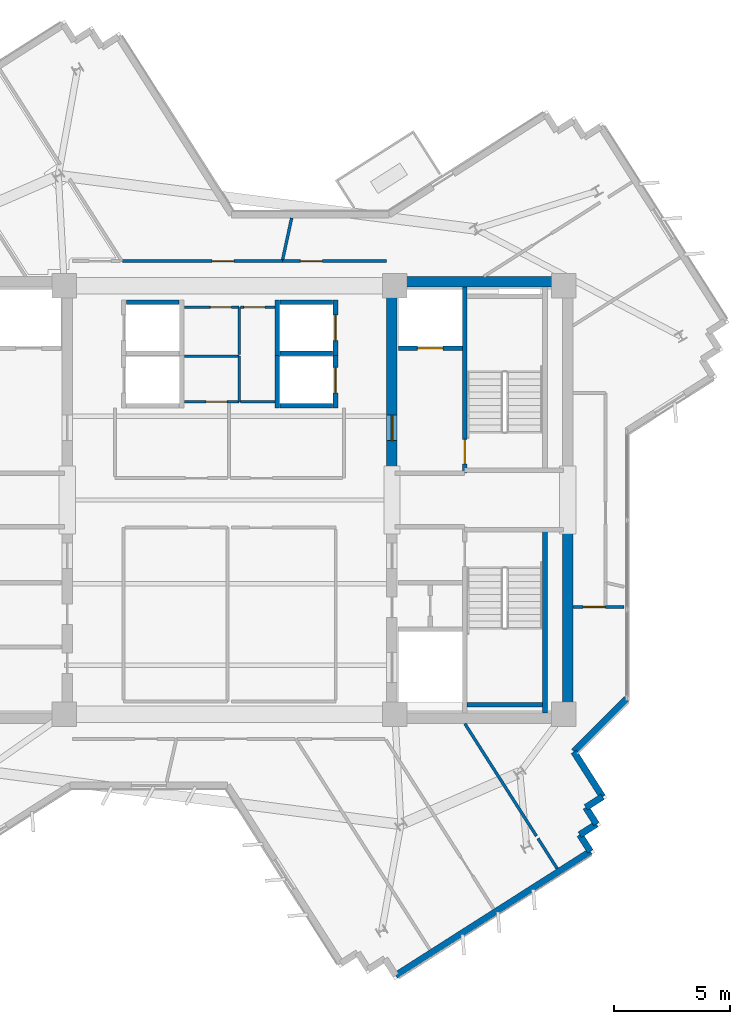
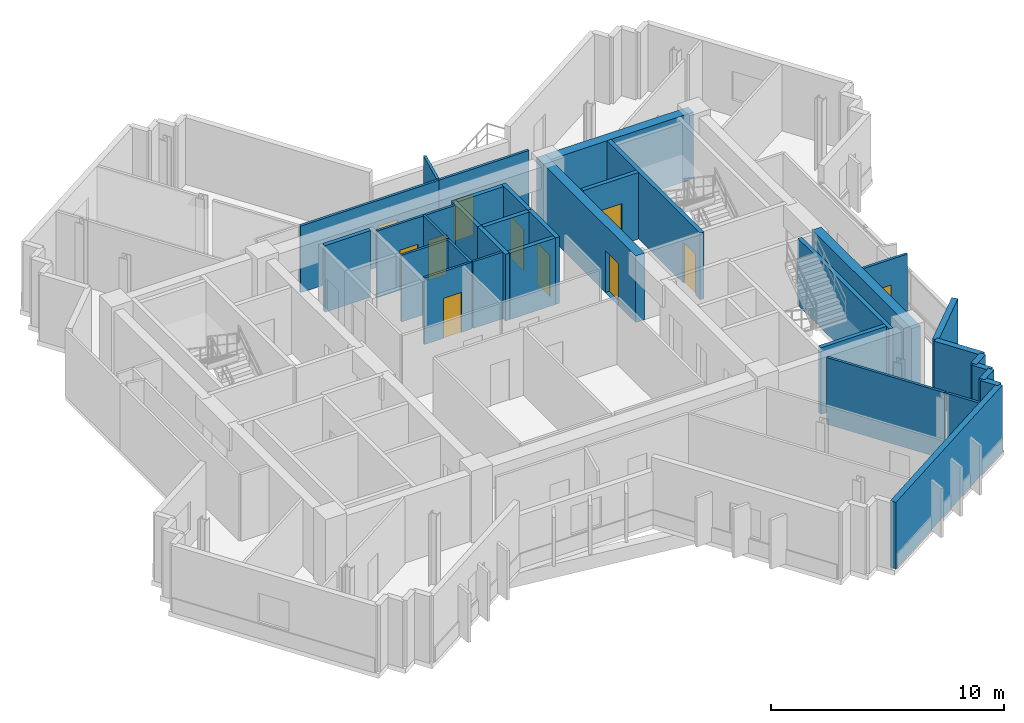
# One storey, part 7 of 12: 35 walls, 11 doors, 11 openings.
"""IFC4 building model written with IfcOpenShell, lengths in metres."""

from ifc_helpers import new_model, si_unit, direction, frame, frame_2d, origin, place, context, subcontext, project, spatial, rectangle, extrude, source, transform, mapped, material, layer, layer_set, type_object, element, fill, save


model = new_model("IFC4")

# Units and contexts
model_context = context("Model", 3, precision=1e-05, world=origin(), true_north=direction((0.0, 1.0)))
body_context = subcontext(model_context, "Body", "Model", "MODEL_VIEW")
ifc_project = project(units=[si_unit("LENGTHUNIT", "METRE"), si_unit("AREAUNIT", "SQUARE_METRE"), si_unit("VOLUMEUNIT", "CUBIC_METRE"), si_unit("PLANEANGLEUNIT", "RADIAN"), si_unit("MASSUNIT", "GRAM", prefix="KILO")], contexts=[model_context])

# Site, building, storey
site_placement = place(None, origin())
site = spatial("IfcSite", under=ifc_project, at=site_placement, CompositionType="ELEMENT")
building_placement = place(site_placement, origin())
building = spatial("IfcBuilding", under=site, at=building_placement, Name="Zahravan Cultural Tower", CompositionType="ELEMENT")
storey_placement = place(building_placement, frame((0.0, 0.0, 261.60009765625)))
storey = spatial("IfcBuildingStorey", under=building, at=storey_placement, Name="L62", CompositionType="ELEMENT", Elevation=261.60009765625)

# Wall, opening, door
ifc_material_1 = material(Name="Concrete C50/60", Category="concrete")
ifc_layer_1 = layer(ifc_material_1, 0.449951171875)
ifc_layer_set_1 = layer_set([ifc_layer_1], Name="Concrete C50/60")
wall_type_1 = type_object("IfcWallType", Name="CW-SHEAR-450-C50", PredefinedType="SHEAR", material=ifc_layer_set_1)
wall_1_placement = place(storey_placement, frame((42.97509765625, 28.050048828125, 0.0), z_axis=(0.0, 0.0, 1.0), x_axis=(0.0, 1.0, 0.0)))
wall_1 = element("IfcWall", 1, at=wall_1_placement, inside=storey, type_object=wall_type_1, Name="L62 Core Shear Wall CW-E-WN-L62", PredefinedType="SHEAR", context=body_context, shape_type="SweptSolid", body=[
    extrude(rectangle(XDim=8.550048828125, YDim=0.449951171875, at=frame_2d((4.27490234375, 0.0))), origin(), (0.0, 0.0, 1.0), 3.5),
])
opening_1_placement = place(wall_1_placement, frame((1.5, 0.0, 0.0)))
opening_1 = element("IfcOpeningElement", 2, at=opening_1_placement, cuts=wall_1, Name="Opening D-L62-07", PredefinedType="OPENING", context=body_context, shape_type="SweptSolid", body=[
    extrude(rectangle(XDim=1.10009765625, YDim=2.199951171875, at=frame_2d((0.550048828125, 1.10009765625))), frame((0.0, 0.23486328125, 0.0), z_axis=(0.0, -1.0, 0.0), x_axis=(1.0, 0.0, 0.0)), (0.0, 0.0, 1.0), 0.469970703125),
])
ifc_material_2 = material(Name="Steel ASTM A572 Grade 50", Category="steel")
door_type_1 = type_object("IfcDoorType", Name="DR-LOBBY-1100", OperationType="NOTDEFINED", PredefinedType="DOOR", material=ifc_material_2)
shared_shape_1 = source(origin(), body_context, "Body", "SweptSolid", [
    extrude(rectangle(XDim=1.10009765625, YDim=2.199951171875, at=frame_2d((0.550048828125, 1.10009765625))), frame((0.0, 0.02490234375, 0.0), z_axis=(0.0, -1.0, 0.0), x_axis=(1.0, 0.0, 0.0)), (0.0, 0.0, 1.0), 0.050048828125),
])
door_1_placement = place(opening_1_placement, origin())
door_1 = element("IfcDoor", 3, at=door_1_placement, inside=storey, type_object=door_type_1, Name="L62 Door D-L62-07", OperationType="SINGLE_SWING_LEFT", OverallHeight=2.199951171875, OverallWidth=1.10009765625, PredefinedType="DOOR", context=body_context, shape_type="MappedRepresentation", body=[
    mapped(shared_shape_1, transform((0.0, 0.0, 0.0), x_axis=(1.0, 0.0, 0.0), y_axis=(0.0, 1.0, 0.0), z_axis=(0.0, 0.0, 1.0), scale=1.0)),
])
fill(opening_1, door_1)

ifc_material_3 = material(Name="Gypsum plasterboard partition")
ifc_layer_2 = layer(ifc_material_3, 0.125)
ifc_layer_set_2 = layer_set([ifc_layer_2], Name="Gypsum plasterboard partition")
wall_type_2 = type_object("IfcWallType", Name="W-PART-125", PredefinedType="PARTITIONING", material=ifc_layer_set_2)
wall_2_placement = place(storey_placement, frame((50.7548828125, 22.400146484375, 0.0), z_axis=(0.0, 0.0, 1.0), x_axis=(0.999998787702, 0.001557110781, 0.0)))
wall_2 = element("IfcWall", 4, at=wall_2_placement, inside=storey, type_object=wall_type_2, Name="L62 Interior Wall 066", PredefinedType="PARTITIONING", context=body_context, shape_type="SweptSolid", body=[
    extrude(rectangle(XDim=2.195068359375, YDim=0.125, at=frame_2d((1.09765625, 0.0))), origin(), (0.0, 0.0, 1.0), 3.5),
])
opening_2_placement = place(wall_2_placement, frame((0.435791015625, 0.0, 0.0)))
opening_2 = element("IfcOpeningElement", 5, at=opening_2_placement, cuts=wall_2, Name="Opening D-L62-29", PredefinedType="OPENING", context=body_context, shape_type="SweptSolid", body=[
    extrude(rectangle(XDim=0.949951171875, YDim=2.14990234375, at=frame_2d((0.47509765625, 1.074951171875))), frame((0.0, 0.072509765625, 0.0), z_axis=(0.0, -1.0, 0.0), x_axis=(1.0, 0.0, 0.0)), (0.0, 0.0, 1.0), 0.14501953125),
])
ifc_material_4 = material(Name="Anodised bronze-aluminium mullion", Category="aluminium")
door_type_2 = type_object("IfcDoorType", Name="DR-ROOM-950", OperationType="NOTDEFINED", PredefinedType="DOOR", material=ifc_material_4)
shared_shape_2 = source(origin(), body_context, "Body", "SweptSolid", [
    extrude(rectangle(XDim=0.949951171875, YDim=2.14990234375, at=frame_2d((0.47509765625, 1.074951171875))), frame((0.0, 0.02490234375, 0.0), z_axis=(0.0, -1.0, 0.0), x_axis=(1.0, 0.0, 0.0)), (0.0, 0.0, 1.0), 0.050048828125),
])
door_2_placement = place(opening_2_placement, origin())
door_2 = element("IfcDoor", 6, at=door_2_placement, inside=storey, type_object=door_type_2, Name="L62 Door D-L62-29", OperationType="SINGLE_SWING_LEFT", OverallHeight=2.14990234375, OverallWidth=0.949951171875, PredefinedType="DOOR", context=body_context, shape_type="MappedRepresentation", body=[
    mapped(shared_shape_2, transform((0.0, 0.0, 0.0), x_axis=(1.0, 0.0, 0.0), y_axis=(0.0, 1.0, 0.0), z_axis=(0.0, 0.0, 1.0), scale=1.0)),
])
fill(opening_2, door_2)

wall_3_placement = place(storey_placement, frame((42.742431640625, 37.259765625, 0.0), z_axis=(0.0, 0.0, 1.0), x_axis=(-0.999999998515, 5.4504824e-05, 0.0)))
wall_3 = element("IfcWall", 7, at=wall_3_placement, inside=storey, type_object=wall_type_2, Name="L62 Interior Wall 092", PredefinedType="PARTITIONING", context=body_context, shape_type="SweptSolid", body=[
    extrude(rectangle(XDim=4.479248046875, YDim=0.125, at=frame_2d((2.23974609375, 0.0))), origin(), (0.0, 0.0, 1.0), 3.5),
])
opening_3_placement = place(wall_3_placement, frame((2.752685546875, 0.0, 0.0)))
opening_3 = element("IfcOpeningElement", 8, at=opening_3_placement, cuts=wall_3, Name="Opening D-L62-21", PredefinedType="OPENING", context=body_context, shape_type="SweptSolid", body=[
    extrude(rectangle(XDim=0.949951171875, YDim=2.14990234375, at=frame_2d((0.47509765625, 1.074951171875))), frame((0.0, 0.072509765625, 0.0), z_axis=(0.0, -1.0, 0.0), x_axis=(1.0, 0.0, 0.0)), (0.0, 0.0, 1.0), 0.14501953125),
])
door_3_placement = place(opening_3_placement, origin())
door_3 = element("IfcDoor", 9, at=door_3_placement, inside=storey, type_object=door_type_2, Name="L62 Door D-L62-21", OperationType="SINGLE_SWING_LEFT", OverallHeight=2.14990234375, OverallWidth=0.949951171875, PredefinedType="DOOR", context=body_context, shape_type="MappedRepresentation", body=[
    mapped(shared_shape_2, transform((0.0, 0.0, 0.0), x_axis=(1.0, 0.0, 0.0), y_axis=(0.0, 1.0, 0.0), z_axis=(0.0, 0.0, 1.0), scale=1.0)),
])
fill(opening_3, door_3)

wall_4_placement = place(storey_placement, frame((38.26318359375, 37.260009765625, 0.0), z_axis=(0.0, 0.0, 1.0), x_axis=(-1.0, 0.0, 0.0)))
wall_4 = element("IfcWall", 10, at=wall_4_placement, inside=storey, type_object=wall_type_2, Name="L62 Interior Wall 095", PredefinedType="PARTITIONING", context=body_context, shape_type="SweptSolid", body=[
    extrude(rectangle(XDim=6.866943359375, YDim=0.125, at=frame_2d((3.43359375, 0.0))), origin(), (0.0, 0.0, 1.0), 3.5),
])
opening_4_placement = place(wall_4_placement, frame((2.071044921875, 0.0, 0.0)))
opening_4 = element("IfcOpeningElement", 11, at=opening_4_placement, cuts=wall_4, Name="Opening D-L62-22", PredefinedType="OPENING", context=body_context, shape_type="SweptSolid", body=[
    extrude(rectangle(XDim=0.949951171875, YDim=2.14990234375, at=frame_2d((0.47509765625, 1.074951171875))), frame((0.0, 0.072509765625, 0.0), z_axis=(0.0, -1.0, 0.0), x_axis=(1.0, 0.0, 0.0)), (0.0, 0.0, 1.0), 0.14501953125),
])
door_4_placement = place(opening_4_placement, origin())
door_4 = element("IfcDoor", 12, at=door_4_placement, inside=storey, type_object=door_type_2, Name="L62 Door D-L62-22", OperationType="SINGLE_SWING_RIGHT", OverallHeight=2.14990234375, OverallWidth=0.949951171875, PredefinedType="DOOR", context=body_context, shape_type="MappedRepresentation", body=[
    mapped(shared_shape_2, transform((0.0, 0.0, 0.0), x_axis=(1.0, 0.0, 0.0), y_axis=(0.0, 1.0, 0.0), z_axis=(0.0, 0.0, 1.0), scale=1.0)),
])
fill(opening_4, door_4)

ifc_material_5 = material(Name="Concrete C45/55", Category="concrete")
ifc_layer_3 = layer(ifc_material_5, 0.199951171875)
ifc_layer_set_3 = layer_set([ifc_layer_3], Name="Concrete C45/55")
wall_type_3 = type_object("IfcWallType", Name="W-SHAFT-200", PredefinedType="SOLIDWALL", material=ifc_layer_set_3)
wall_5_placement = place(storey_placement, frame((46.10009765625, 28.14990234375, 0.0), z_axis=(0.0, 0.0, 1.0), x_axis=(0.0, 1.0, 0.0)))
wall_5 = element("IfcWall", 13, at=wall_5_placement, inside=storey, type_object=wall_type_3, Name="L62 Interior Wall 008", PredefinedType="SOLIDWALL", context=body_context, shape_type="SweptSolid", body=[
    extrude(rectangle(XDim=8.0, YDim=0.199951171875, at=frame_2d((4.0, 0.0))), origin(), (0.0, 0.0, 1.0), 3.5),
])
opening_5_placement = place(wall_5_placement, frame((0.39990234375, 0.0, 0.0)))
opening_5 = element("IfcOpeningElement", 14, at=opening_5_placement, cuts=wall_5, Name="Opening D-L62-02", PredefinedType="OPENING", context=body_context, shape_type="SweptSolid", body=[
    extrude(rectangle(XDim=1.050048828125, YDim=2.14990234375, at=frame_2d((0.52490234375, 1.074951171875))), frame((0.0, 0.10986328125, 0.0), z_axis=(0.0, -1.0, 0.0), x_axis=(1.0, 0.0, 0.0)), (0.0, 0.0, 1.0), 0.219970703125),
])
door_type_3 = type_object("IfcDoorType", Name="DR-STAIR-1050", OperationType="NOTDEFINED", PredefinedType="DOOR", material=ifc_material_2)
shared_shape_3 = source(origin(), body_context, "Body", "SweptSolid", [
    extrude(rectangle(XDim=1.050048828125, YDim=2.14990234375, at=frame_2d((0.52490234375, 1.074951171875))), frame((0.0, 0.02490234375, 0.0), z_axis=(0.0, -1.0, 0.0), x_axis=(1.0, 0.0, 0.0)), (0.0, 0.0, 1.0), 0.050048828125),
])
door_5_placement = place(opening_5_placement, origin())
door_5 = element("IfcDoor", 15, at=door_5_placement, inside=storey, type_object=door_type_3, Name="L62 Door D-L62-02", OperationType="SINGLE_SWING_RIGHT", OverallHeight=2.14990234375, OverallWidth=1.050048828125, PredefinedType="DOOR", context=body_context, shape_type="MappedRepresentation", body=[
    mapped(shared_shape_3, transform((0.0, 0.0, 0.0), x_axis=(1.0, 0.0, 0.0), y_axis=(0.0, 1.0, 0.0), z_axis=(0.0, 0.0, 1.0), scale=1.0)),
])
fill(opening_5, door_5)

wall_6_placement = place(storey_placement, frame((43.25, 33.52001953125, 0.0), z_axis=(0.0, 0.0, 1.0), x_axis=(1.0, 0.0, 0.0)))
wall_6 = element("IfcWall", 16, at=wall_6_placement, inside=storey, type_object=wall_type_3, Name="L62 Interior Wall 023", PredefinedType="SOLIDWALL", context=body_context, shape_type="SweptSolid", body=[
    extrude(rectangle(XDim=2.75, YDim=0.199951171875, at=frame_2d((1.375, 0.0))), origin(), (0.0, 0.0, 1.0), 3.5),
])
opening_6_placement = place(wall_6_placement, frame((0.820068359375, 0.0, 0.0)))
opening_6 = element("IfcOpeningElement", 17, at=opening_6_placement, cuts=wall_6, Name="Opening LD-L62-02", PredefinedType="OPENING", context=body_context, shape_type="SweptSolid", body=[
    extrude(rectangle(XDim=1.10009765625, YDim=2.14990234375, at=frame_2d((0.550048828125, 1.074951171875))), frame((0.0, 0.10986328125, 0.0), z_axis=(0.0, -1.0, 0.0), x_axis=(1.0, 0.0, 0.0)), (0.0, 0.0, 1.0), 0.219970703125),
])
door_type_4 = type_object("IfcDoorType", Name="DR-LIFT-1100", OperationType="DOUBLE_DOOR_SLIDING", PredefinedType="DOOR", material=ifc_material_2)
shared_shape_4 = source(origin(), body_context, "Body", "SweptSolid", [
    extrude(rectangle(XDim=1.10009765625, YDim=2.14990234375, at=frame_2d((0.550048828125, 1.074951171875))), frame((0.0, 0.02490234375, 0.0), z_axis=(0.0, -1.0, 0.0), x_axis=(1.0, 0.0, 0.0)), (0.0, 0.0, 1.0), 0.050048828125),
])
door_6_placement = place(opening_6_placement, origin())
door_6 = element("IfcDoor", 18, at=door_6_placement, inside=storey, type_object=door_type_4, Name="L62 Door LD-L62-02", OperationType="DOUBLE_DOOR_SLIDING", OverallHeight=2.14990234375, OverallWidth=1.10009765625, PredefinedType="DOOR", context=body_context, shape_type="MappedRepresentation", body=[
    mapped(shared_shape_4, transform((0.0, 0.0, 0.0), x_axis=(1.0, 0.0, 0.0), y_axis=(0.0, 1.0, 0.0), z_axis=(0.0, 0.0, 1.0), scale=1.0)),
])
fill(opening_6, door_6)

wall_7_placement = place(storey_placement, frame((40.550048828125, 33.199951171875, 0.0), z_axis=(0.0, 0.0, 1.0), x_axis=(0.0, 1.0, 0.0)))
wall_7 = element("IfcWall", 19, at=wall_7_placement, inside=storey, type_object=wall_type_3, Name="L62 Interior Wall 037", PredefinedType="SOLIDWALL", context=body_context, shape_type="SweptSolid", body=[
    extrude(rectangle(XDim=2.400146484375, YDim=0.199951171875, at=frame_2d((1.2001953125, 0.0))), origin(), (0.0, 0.0, 1.0), 3.5),
])
opening_7_placement = place(wall_7_placement, frame((0.64990234375, 0.0, 0.0)))
opening_7 = element("IfcOpeningElement", 20, at=opening_7_placement, cuts=wall_7, Name="Opening LD-L62-06", PredefinedType="OPENING", context=body_context, shape_type="SweptSolid", body=[
    extrude(rectangle(XDim=1.10009765625, YDim=2.14990234375, at=frame_2d((0.550048828125, 1.074951171875))), frame((0.0, 0.10986328125, 0.0), z_axis=(0.0, -1.0, 0.0), x_axis=(1.0, 0.0, 0.0)), (0.0, 0.0, 1.0), 0.219970703125),
])
door_7_placement = place(opening_7_placement, origin())
door_7 = element("IfcDoor", 21, at=door_7_placement, inside=storey, type_object=door_type_4, Name="L62 Door LD-L62-06", OperationType="DOUBLE_DOOR_SLIDING", OverallHeight=2.14990234375, OverallWidth=1.10009765625, PredefinedType="DOOR", context=body_context, shape_type="MappedRepresentation", body=[
    mapped(shared_shape_4, transform((0.0, 0.0, 0.0), x_axis=(1.0, 0.0, 0.0), y_axis=(0.0, 1.0, 0.0), z_axis=(0.0, 0.0, 1.0), scale=1.0)),
])
fill(opening_7, door_7)

wall_8_placement = place(storey_placement, frame((40.550048828125, 30.949951171875, 0.0), z_axis=(0.0, 0.0, 1.0), x_axis=(0.0, 1.0, 0.0)))
wall_8 = element("IfcWall", 22, at=wall_8_placement, inside=storey, type_object=wall_type_3, Name="L62 Interior Wall 041", PredefinedType="SOLIDWALL", context=body_context, shape_type="SweptSolid", body=[
    extrude(rectangle(XDim=2.400146484375, YDim=0.199951171875, at=frame_2d((1.2001953125, 0.0))), origin(), (0.0, 0.0, 1.0), 3.5),
])
opening_8_placement = place(wall_8_placement, frame((0.64990234375, 0.0, 0.0)))
opening_8 = element("IfcOpeningElement", 23, at=opening_8_placement, cuts=wall_8, Name="Opening LD-L62-07", PredefinedType="OPENING", context=body_context, shape_type="SweptSolid", body=[
    extrude(rectangle(XDim=1.10009765625, YDim=2.14990234375, at=frame_2d((0.550048828125, 1.074951171875))), frame((0.0, 0.10986328125, 0.0), z_axis=(0.0, -1.0, 0.0), x_axis=(1.0, 0.0, 0.0)), (0.0, 0.0, 1.0), 0.219970703125),
])
door_8_placement = place(opening_8_placement, origin())
door_8 = element("IfcDoor", 24, at=door_8_placement, inside=storey, type_object=door_type_4, Name="L62 Door LD-L62-07", OperationType="DOUBLE_DOOR_SLIDING", OverallHeight=2.14990234375, OverallWidth=1.10009765625, PredefinedType="DOOR", context=body_context, shape_type="MappedRepresentation", body=[
    mapped(shared_shape_4, transform((0.0, 0.0, 0.0), x_axis=(1.0, 0.0, 0.0), y_axis=(0.0, 1.0, 0.0), z_axis=(0.0, 0.0, 1.0), scale=1.0)),
])
fill(opening_8, door_8)

ifc_layer_4 = layer(ifc_material_3, 0.114990234375)
ifc_layer_set_4 = layer_set([ifc_layer_4], Name="Gypsum plasterboard partition")
wall_type_4 = type_object("IfcWallType", Name="W-WC-115", PredefinedType="PARTITIONING", material=ifc_layer_set_4)
wall_9_placement = place(storey_placement, frame((36.409912109375, 31.219970703125, 0.0), z_axis=(0.0, 0.0, 1.0), x_axis=(-1.0, 0.0, 0.0)))
wall_9 = element("IfcWall", 25, at=wall_9_placement, inside=storey, type_object=wall_type_4, Name="L62 Interior Wall 043", PredefinedType="PARTITIONING", context=body_context, shape_type="SweptSolid", body=[
    extrude(rectangle(XDim=2.35498046875, YDim=0.114990234375, at=frame_2d((1.177490234375, 0.0))), origin(), (0.0, 0.0, 1.0), 3.5),
])
opening_9_placement = place(wall_9_placement, frame((0.5166015625, 0.0, 0.0)))
opening_9 = element("IfcOpeningElement", 26, at=opening_9_placement, cuts=wall_9, Name="Opening D-L62-30", PredefinedType="OPENING", context=body_context, shape_type="SweptSolid", body=[
    extrude(rectangle(XDim=0.89990234375, YDim=2.10009765625, at=frame_2d((0.449951171875, 1.050048828125))), frame((0.0, 0.0673828125, 0.0), z_axis=(0.0, -1.0, 0.0), x_axis=(1.0, 0.0, 0.0)), (0.0, 0.0, 1.0), 0.135009765625),
])
door_type_5 = type_object("IfcDoorType", Name="DR-WC-900", OperationType="NOTDEFINED", PredefinedType="DOOR", material=ifc_material_4)
shared_shape_5 = source(origin(), body_context, "Body", "SweptSolid", [
    extrude(rectangle(XDim=0.89990234375, YDim=2.10009765625, at=frame_2d((0.449951171875, 1.050048828125))), frame((0.0, 0.02490234375, 0.0), z_axis=(0.0, -1.0, 0.0), x_axis=(1.0, 0.0, 0.0)), (0.0, 0.0, 1.0), 0.050048828125),
])
door_9_placement = place(opening_9_placement, origin())
door_9 = element("IfcDoor", 27, at=door_9_placement, inside=storey, type_object=door_type_5, Name="L62 Door D-L62-30", OperationType="SINGLE_SWING_RIGHT", OverallHeight=2.10009765625, OverallWidth=0.89990234375, PredefinedType="DOOR", context=body_context, shape_type="MappedRepresentation", body=[
    mapped(shared_shape_5, transform((0.0, 0.0, 0.0), x_axis=(1.0, 0.0, 0.0), y_axis=(0.0, 1.0, 0.0), z_axis=(0.0, 0.0, 1.0), scale=1.0)),
])
fill(opening_9, door_9)

wall_10_placement = place(storey_placement, frame((34.054931640625, 35.280029296875, 0.0), z_axis=(0.0, 0.0, 1.0), x_axis=(1.0, 0.0, 0.0)))
wall_10 = element("IfcWall", 28, at=wall_10_placement, inside=storey, type_object=wall_type_4, Name="L62 Interior Wall 046", PredefinedType="PARTITIONING", context=body_context, shape_type="SweptSolid", body=[
    extrude(rectangle(XDim=2.35498046875, YDim=0.114990234375, at=frame_2d((1.177490234375, 0.0))), origin(), (0.0, 0.0, 1.0), 3.5),
])
opening_10_placement = place(wall_10_placement, frame((1.120849609375, 0.0, 0.0)))
opening_10 = element("IfcOpeningElement", 29, at=opening_10_placement, cuts=wall_10, Name="Opening D-L62-16", PredefinedType="OPENING", context=body_context, shape_type="SweptSolid", body=[
    extrude(rectangle(XDim=0.89990234375, YDim=2.10009765625, at=frame_2d((0.449951171875, 1.050048828125))), frame((0.0, 0.0673828125, 0.0), z_axis=(0.0, -1.0, 0.0), x_axis=(1.0, 0.0, 0.0)), (0.0, 0.0, 1.0), 0.135009765625),
])
door_10_placement = place(opening_10_placement, origin())
door_10 = element("IfcDoor", 30, at=door_10_placement, inside=storey, type_object=door_type_5, Name="L62 Door D-L62-16", OperationType="SINGLE_SWING_RIGHT", OverallHeight=2.10009765625, OverallWidth=0.89990234375, PredefinedType="DOOR", context=body_context, shape_type="MappedRepresentation", body=[
    mapped(shared_shape_5, transform((0.0, 0.0, 0.0), x_axis=(1.0, 0.0, 0.0), y_axis=(0.0, 1.0, 0.0), z_axis=(0.0, 0.0, 1.0), scale=1.0)),
])
fill(opening_10, door_10)

wall_11_placement = place(storey_placement, frame((36.472412109375, 35.280029296875, 0.0), z_axis=(0.0, 0.0, 1.0), x_axis=(1.0, 0.0, 0.0)))
wall_11 = element("IfcWall", 31, at=wall_11_placement, inside=storey, type_object=wall_type_4, Name="L62 Interior Wall 049", PredefinedType="PARTITIONING", context=body_context, shape_type="SweptSolid", body=[
    extrude(rectangle(XDim=1.47265625, YDim=0.114990234375, at=frame_2d((0.736328125, 0.0))), origin(), (0.0, 0.0, 1.0), 3.5),
])
opening_11_placement = place(wall_11_placement, frame((0.139892578125, 0.0, 0.0)))
opening_11 = element("IfcOpeningElement", 32, at=opening_11_placement, cuts=wall_11, Name="Opening D-L62-17", PredefinedType="OPENING", context=body_context, shape_type="SweptSolid", body=[
    extrude(rectangle(XDim=0.89990234375, YDim=2.10009765625, at=frame_2d((0.449951171875, 1.050048828125))), frame((0.0, 0.0673828125, 0.0), z_axis=(0.0, -1.0, 0.0), x_axis=(1.0, 0.0, 0.0)), (0.0, 0.0, 1.0), 0.135009765625),
])
door_11_placement = place(opening_11_placement, origin())
door_11 = element("IfcDoor", 33, at=door_11_placement, inside=storey, type_object=door_type_5, Name="L62 Door D-L62-17", OperationType="SINGLE_SWING_LEFT", OverallHeight=2.10009765625, OverallWidth=0.89990234375, PredefinedType="DOOR", context=body_context, shape_type="MappedRepresentation", body=[
    mapped(shared_shape_5, transform((0.0, 0.0, 0.0), x_axis=(1.0, 0.0, 0.0), y_axis=(0.0, 1.0, 0.0), z_axis=(0.0, 0.0, 1.0), scale=1.0)),
])
fill(opening_11, door_11)

# Walls
shared_shape_6 = source(origin(), body_context, "Body", "SweptSolid", [
    extrude(rectangle(XDim=8.550048828125, YDim=0.449951171875, at=frame_2d((4.27490234375, 0.0))), origin(), (0.0, 0.0, 1.0), 3.5),
])
wall_12_placement = place(storey_placement, frame((50.52490234375, 17.39990234375, 0.0), z_axis=(0.0, 0.0, 1.0), x_axis=(0.0, 1.0, 0.0)))
element("IfcWall", 34, at=wall_12_placement, inside=storey, type_object=wall_type_1, Name="L62 Core Shear Wall CW-E-ES-L62", PredefinedType="SHEAR", context=body_context, shape_type="MappedRepresentation", body=[
    mapped(shared_shape_6, transform((0.0, 0.0, 0.0), x_axis=(1.0, 0.0, 0.0), y_axis=(0.0, 1.0, 0.0), z_axis=(0.0, 0.0, 1.0), scale=1.0)),
])
shared_shape_7 = source(origin(), body_context, "Body", "SweptSolid", [
    extrude(rectangle(XDim=7.10009765625, YDim=0.449951171875, at=frame_2d((3.550048828125, 0.0))), origin(), (0.0, 0.0, 1.0), 3.5),
])
wall_13_placement = place(storey_placement, frame((43.199951171875, 36.375, 0.0), z_axis=(0.0, 0.0, 1.0), x_axis=(1.0, 0.0, 0.0)))
element("IfcWall", 35, at=wall_13_placement, inside=storey, type_object=wall_type_1, Name="L62 Core Shear Wall CW-E-N-L62", PredefinedType="SHEAR", context=body_context, shape_type="MappedRepresentation", body=[
    mapped(shared_shape_7, transform((0.0, 0.0, 0.0), x_axis=(1.0, 0.0, 0.0), y_axis=(0.0, 1.0, 0.0), z_axis=(0.0, 0.0, 1.0), scale=1.0)),
])
ifc_material_6 = material(Name="Precast concrete C40/50", Category="concrete")
ifc_layer_5 = layer(ifc_material_6, 0.280029296875)
ifc_layer_set_5 = layer_set([ifc_layer_5], Name="Precast concrete C40/50")
wall_type_5 = type_object("IfcWallType", Name="EW-TC-280", PredefinedType="SOLIDWALL", material=ifc_layer_set_5)
shared_shape_8 = source(origin(), body_context, "Body", "SweptSolid", [
    extrude(rectangle(XDim=0.849853515625, YDim=0.280029296875, at=frame_2d((0.4248046875, 0.0))), origin(), (0.0, 0.0, 1.0), 3.5),
])
for number, where, z_axis, x_axis, name in (
    (36, (52.01904296875, 14.25048828125, 0.0), (0.0, 0.0, 1.0), (-0.843318324659, -0.537414368337, 0.0), "L62 Exterior Masonry Frame Wall 14"),
    (37, (51.30224609375, 13.793701171875, 0.0), (0.0, 0.0, 1.0), (0.537210044462, -0.843448497615, 0.0), "L62 Exterior Masonry Frame Wall 15"),
    (38, (51.7587890625, 13.076904296875, 0.0), (0.0, 0.0, 1.0), (-0.843318324659, -0.537414368337, 0.0), "L62 Exterior Masonry Frame Wall 16"),
    (39, (51.0419921875, 12.6201171875, 0.0), (0.0, 0.0, 1.0), (0.537414368337, -0.843318324659, 0.0), "L62 Exterior Masonry Frame Wall 17"),
):
    element("IfcWall", number, at=place(storey_placement, frame(where, z_axis=z_axis, x_axis=x_axis)), inside=storey, type_object=wall_type_5, Name=name, PredefinedType="SOLIDWALL", context=body_context, shape_type="MappedRepresentation", body=[
        mapped(shared_shape_8, transform((0.0, 0.0, 0.0), x_axis=(1.0, 0.0, 0.0), y_axis=(0.0, 1.0, 0.0), z_axis=(0.0, 0.0, 1.0), scale=1.0)),
    ])
shared_shape_9 = source(origin(), body_context, "Body", "SweptSolid", [
    extrude(rectangle(XDim=9.920166015625, YDim=0.280029296875, at=frame_2d((4.9599609375, 0.0))), origin(), (0.0, 0.0, 1.0), 3.5),
])
wall_14_placement = place(storey_placement, frame((51.498779296875, 11.9033203125, 0.0), z_axis=(0.0, 0.0, 1.0), x_axis=(-0.843388777764, -0.537303796322, 0.0)))
element("IfcWall", 40, at=wall_14_placement, inside=storey, type_object=wall_type_5, Name="L62 Exterior Masonry Frame Wall 18", PredefinedType="SOLIDWALL", context=body_context, shape_type="MappedRepresentation", body=[
    mapped(shared_shape_9, transform((0.0, 0.0, 0.0), x_axis=(1.0, 0.0, 0.0), y_axis=(0.0, 1.0, 0.0), z_axis=(0.0, 0.0, 1.0), scale=1.0)),
])
shared_shape_10 = source(origin(), body_context, "Body", "SweptSolid", [
    extrude(rectangle(XDim=3.21484375, YDim=0.280029296875, at=frame_2d((1.607421875, 0.0))), origin(), (0.0, 0.0, 1.0), 3.5),
])
wall_15_placement = place(storey_placement, frame((53.06005859375, 18.4580078125, 0.0), z_axis=(0.0, 0.0, 1.0), x_axis=(-0.707106781187, -0.707106781187, 0.0)))
element("IfcWall", 41, at=wall_15_placement, inside=storey, type_object=wall_type_5, Name="L62 Exterior Masonry Frame Wall 12", PredefinedType="SOLIDWALL", context=body_context, shape_type="MappedRepresentation", body=[
    mapped(shared_shape_10, transform((0.0, 0.0, 0.0), x_axis=(1.0, 0.0, 0.0), y_axis=(0.0, 1.0, 0.0), z_axis=(0.0, 0.0, 1.0), scale=1.0)),
])
shared_shape_11 = source(origin(), body_context, "Body", "SweptSolid", [
    extrude(rectangle(XDim=2.29345703125, YDim=0.280029296875, at=frame_2d((1.146728515625, 0.0))), origin(), (0.0, 0.0, 1.0), 3.5),
])
wall_16_placement = place(storey_placement, frame((50.786865234375, 16.184814453125, 0.0), z_axis=(0.0, 0.0, 1.0), x_axis=(0.53726116654, -0.843415934713, 0.0)))
element("IfcWall", 42, at=wall_16_placement, inside=storey, type_object=wall_type_5, Name="L62 Exterior Masonry Frame Wall 13", PredefinedType="SOLIDWALL", context=body_context, shape_type="MappedRepresentation", body=[
    mapped(shared_shape_11, transform((0.0, 0.0, 0.0), x_axis=(1.0, 0.0, 0.0), y_axis=(0.0, 1.0, 0.0), z_axis=(0.0, 0.0, 1.0), scale=1.0)),
])
shared_shape_12 = source(origin(), body_context, "Body", "SweptSolid", [
    extrude(rectangle(XDim=7.869873046875, YDim=0.199951171875, at=frame_2d((3.93505859375, 0.0))), origin(), (0.0, 0.0, 1.0), 3.5),
])
wall_17_placement = place(storey_placement, frame((49.550048828125, 17.85009765625, 0.0), z_axis=(0.0, 0.0, 1.0), x_axis=(0.0, 1.0, 0.0)))
element("IfcWall", 43, at=wall_17_placement, inside=storey, type_object=wall_type_3, Name="L62 Interior Wall 003", PredefinedType="SOLIDWALL", context=body_context, shape_type="MappedRepresentation", body=[
    mapped(shared_shape_12, transform((0.0, 0.0, 0.0), x_axis=(1.0, 0.0, 0.0), y_axis=(0.0, 1.0, 0.0), z_axis=(0.0, 0.0, 1.0), scale=1.0)),
])
shared_shape_13 = source(origin(), body_context, "Body", "SweptSolid", [
    extrude(rectangle(XDim=3.25, YDim=0.199951171875, at=frame_2d((1.625, 0.0))), origin(), (0.0, 0.0, 1.0), 3.5),
])
wall_18_placement = place(storey_placement, frame((46.199951171875, 18.199951171875, 0.0), z_axis=(0.0, 0.0, 1.0), x_axis=(1.0, 0.0, 0.0)))
element("IfcWall", 44, at=wall_18_placement, inside=storey, type_object=wall_type_3, Name="L62 Interior Wall 020", PredefinedType="SOLIDWALL", context=body_context, shape_type="MappedRepresentation", body=[
    mapped(shared_shape_13, transform((0.0, 0.0, 0.0), x_axis=(1.0, 0.0, 0.0), y_axis=(0.0, 1.0, 0.0), z_axis=(0.0, 0.0, 1.0), scale=1.0)),
])
shared_shape_14 = source(origin(), body_context, "Body", "SweptSolid", [
    extrude(rectangle(XDim=2.400146484375, YDim=0.199951171875, at=frame_2d((1.2001953125, 0.0))), origin(), (0.0, 0.0, 1.0), 3.5),
])
for number, where, z_axis, x_axis, name in (
    (45, (38.050048828125, 33.199951171875, 0.0), (0.0, 0.0, 1.0), (0.0, 1.0, 0.0), "L62 Interior Wall 036"),
    (46, (38.050048828125, 30.949951171875, 0.0), (0.0, 0.0, 1.0), (0.0, 1.0, 0.0), "L62 Interior Wall 040"),
):
    element("IfcWall", number, at=place(storey_placement, frame(where, z_axis=z_axis, x_axis=x_axis)), inside=storey, type_object=wall_type_3, Name=name, PredefinedType="SOLIDWALL", context=body_context, shape_type="MappedRepresentation", body=[
        mapped(shared_shape_14, transform((0.0, 0.0, 0.0), x_axis=(1.0, 0.0, 0.0), y_axis=(0.0, 1.0, 0.0), z_axis=(0.0, 0.0, 1.0), scale=1.0)),
    ])
shared_shape_15 = source(origin(), body_context, "Body", "SweptSolid", [
    extrude(rectangle(XDim=2.260009765625, YDim=0.199951171875, at=frame_2d((1.1298828125, 0.0))), origin(), (0.0, 0.0, 1.0), 3.5),
])
for number, where, z_axis, x_axis, name in (
    (47, (31.570068359375, 35.5, 0.0), (0.0, 0.0, 1.0), (1.0, 0.0, 0.0), "L62 Interior Wall 032"),
    (48, (38.169921875, 33.300048828125, 0.0), (0.0, 0.0, 1.0), (1.0, 0.0, 0.0), "L62 Interior Wall 038"),
    (49, (38.169921875, 35.5, 0.0), (0.0, 0.0, 1.0), (1.0, 0.0, 0.0), "L62 Interior Wall 039"),
    (50, (38.169921875, 31.050048828125, 0.0), (0.0, 0.0, 1.0), (1.0, 0.0, 0.0), "L62 Interior Wall 042"),
):
    element("IfcWall", number, at=place(storey_placement, frame(where, z_axis=z_axis, x_axis=x_axis)), inside=storey, type_object=wall_type_3, Name=name, PredefinedType="SOLIDWALL", context=body_context, shape_type="MappedRepresentation", body=[
        mapped(shared_shape_15, transform((0.0, 0.0, 0.0), x_axis=(1.0, 0.0, 0.0), y_axis=(0.0, 1.0, 0.0), z_axis=(0.0, 0.0, 1.0), scale=1.0)),
    ])
shared_shape_16 = source(origin(), body_context, "Body", "SweptSolid", [
    extrude(rectangle(XDim=1.9599609375, YDim=0.114990234375, at=frame_2d((0.97998046875, 0.0))), origin(), (0.0, 0.0, 1.0), 3.5),
])
wall_19_placement = place(storey_placement, frame((36.409912109375, 33.179931640625, 0.0), z_axis=(0.0, 0.0, 1.0), x_axis=(0.0, -1.0, 0.0)))
element("IfcWall", 51, at=wall_19_placement, inside=storey, type_object=wall_type_4, Name="L62 Interior Wall 045", PredefinedType="PARTITIONING", context=body_context, shape_type="MappedRepresentation", body=[
    mapped(shared_shape_16, transform((0.0, 0.0, 0.0), x_axis=(1.0, 0.0, 0.0), y_axis=(0.0, 1.0, 0.0), z_axis=(0.0, 0.0, 1.0), scale=1.0)),
])
shared_shape_17 = source(origin(), body_context, "Body", "SweptSolid", [
    extrude(rectangle(XDim=2.0400390625, YDim=0.114990234375, at=frame_2d((1.02001953125, 0.0))), origin(), (0.0, 0.0, 1.0), 3.5),
])
wall_20_placement = place(storey_placement, frame((36.409912109375, 35.280029296875, 0.0), z_axis=(0.0, 0.0, 1.0), x_axis=(0.0, -1.0, 0.0)))
element("IfcWall", 52, at=wall_20_placement, inside=storey, type_object=wall_type_4, Name="L62 Interior Wall 047", PredefinedType="PARTITIONING", context=body_context, shape_type="MappedRepresentation", body=[
    mapped(shared_shape_17, transform((0.0, 0.0, 0.0), x_axis=(1.0, 0.0, 0.0), y_axis=(0.0, 1.0, 0.0), z_axis=(0.0, 0.0, 1.0), scale=1.0)),
])
shared_shape_18 = source(origin(), body_context, "Body", "SweptSolid", [
    extrude(rectangle(XDim=1.47265625, YDim=0.114990234375, at=frame_2d((0.736328125, 0.0))), origin(), (0.0, 0.0, 1.0), 3.5),
])
wall_21_placement = place(storey_placement, frame((37.945068359375, 31.219970703125, 0.0), z_axis=(0.0, 0.0, 1.0), x_axis=(-1.0, 0.0, 0.0)))
element("IfcWall", 53, at=wall_21_placement, inside=storey, type_object=wall_type_4, Name="L62 Interior Wall 048", PredefinedType="PARTITIONING", context=body_context, shape_type="MappedRepresentation", body=[
    mapped(shared_shape_18, transform((0.0, 0.0, 0.0), x_axis=(1.0, 0.0, 0.0), y_axis=(0.0, 1.0, 0.0), z_axis=(0.0, 0.0, 1.0), scale=1.0)),
])
shared_shape_19 = source(origin(), body_context, "Body", "SweptSolid", [
    extrude(rectangle(XDim=2.35498046875, YDim=0.114990234375, at=frame_2d((1.177490234375, 0.0))), origin(), (0.0, 0.0, 1.0), 3.5),
])
wall_22_placement = place(storey_placement, frame((34.054931640625, 33.179931640625, 0.0), z_axis=(0.0, 0.0, 1.0), x_axis=(1.0, 0.0, 0.0)))
element("IfcWall", 54, at=wall_22_placement, inside=storey, type_object=wall_type_4, Name="L62 Interior Wall 044", PredefinedType="PARTITIONING", context=body_context, shape_type="MappedRepresentation", body=[
    mapped(shared_shape_19, transform((0.0, 0.0, 0.0), x_axis=(1.0, 0.0, 0.0), y_axis=(0.0, 1.0, 0.0), z_axis=(0.0, 0.0, 1.0), scale=1.0)),
])
shared_shape_20 = source(origin(), body_context, "Body", "SweptSolid", [
    extrude(rectangle(XDim=5.726318359375, YDim=0.125, at=frame_2d((2.86328125, 0.0))), origin(), (0.0, 0.0, 1.0), 3.5),
])
wall_23_placement = place(storey_placement, frame((46.102783203125, 17.39501953125, 0.0), z_axis=(0.0, 0.0, 1.0), x_axis=(0.537333366959, -0.843369938255, 0.0)))
element("IfcWall", 55, at=wall_23_placement, inside=storey, type_object=wall_type_2, Name="L62 Interior Wall 062", PredefinedType="PARTITIONING", context=body_context, shape_type="MappedRepresentation", body=[
    mapped(shared_shape_20, transform((0.0, 0.0, 0.0), x_axis=(1.0, 0.0, 0.0), y_axis=(0.0, 1.0, 0.0), z_axis=(0.0, 0.0, 1.0), scale=1.0)),
])
shared_shape_21 = source(origin(), body_context, "Body", "SweptSolid", [
    extrude(rectangle(XDim=1.532958984375, YDim=0.125, at=frame_2d((0.7666015625, 0.0))), origin(), (0.0, 0.0, 1.0), 3.5),
])
wall_24_placement = place(storey_placement, frame((49.247802734375, 12.458740234375, 0.0), z_axis=(0.0, 0.0, 1.0), x_axis=(0.537194917031, -0.843458132403, 0.0)))
element("IfcWall", 56, at=wall_24_placement, inside=storey, type_object=wall_type_2, Name="L62 Interior Wall 063", PredefinedType="PARTITIONING", context=body_context, shape_type="MappedRepresentation", body=[
    mapped(shared_shape_21, transform((0.0, 0.0, 0.0), x_axis=(1.0, 0.0, 0.0), y_axis=(0.0, 1.0, 0.0), z_axis=(0.0, 0.0, 1.0), scale=1.0)),
])
shared_shape_22 = source(origin(), body_context, "Body", "SweptSolid", [
    extrude(rectangle(XDim=1.8291015625, YDim=0.125, at=frame_2d((0.91455078125, 0.0))), origin(), (0.0, 0.0, 1.0), 3.5),
])
wall_25_placement = place(storey_placement, frame((38.27783203125, 37.327392578125, 0.0), z_axis=(0.0, 0.0, 1.0), x_axis=(0.21182559105, 0.977307484355, 0.0)))
element("IfcWall", 57, at=wall_25_placement, inside=storey, type_object=wall_type_2, Name="L62 Interior Wall 093", PredefinedType="PARTITIONING", context=body_context, shape_type="MappedRepresentation", body=[
    mapped(shared_shape_22, transform((0.0, 0.0, 0.0), x_axis=(1.0, 0.0, 0.0), y_axis=(0.0, 1.0, 0.0), z_axis=(0.0, 0.0, 1.0), scale=1.0)),
])

save(model, "model.ifc")
